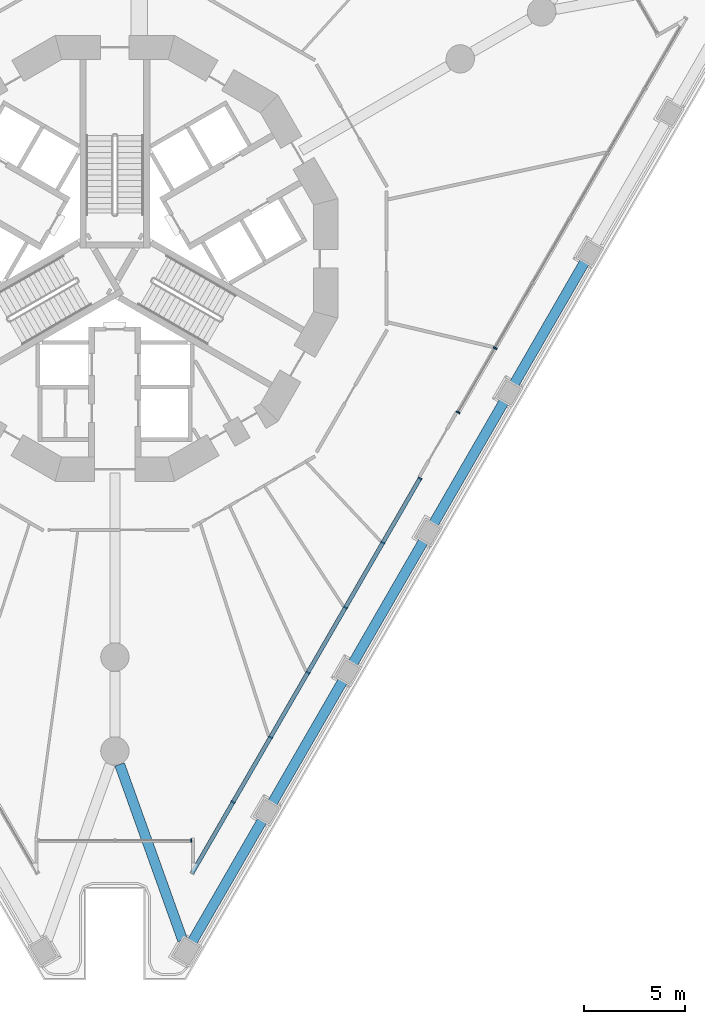
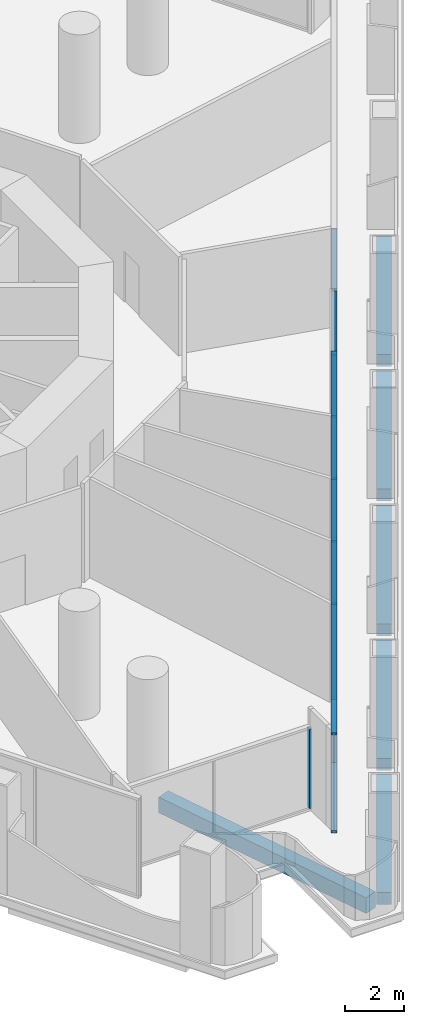
# One storey, part 4 of 21: 11 members, 6 beams, 3 elements without a shape of their own.
"""IFC4 building model written with IfcOpenShell, lengths in metres."""

from ifc_helpers import new_model, si_unit, direction, frame, origin, origin_2d, place, context, subcontext, project, spatial, rectangle, extrude, material, layer, layer_set, material_profile, profile_set, type_object, element, aggregate, save


model = new_model("IFC4")

# Units and contexts
model_context = context("Model", 3, precision=1e-05, world=origin(), true_north=direction((0.0, 1.0)))
body_context = subcontext(model_context, "Body", "Model", "MODEL_VIEW")
ifc_project = project(units=[si_unit("LENGTHUNIT", "METRE"), si_unit("AREAUNIT", "SQUARE_METRE"), si_unit("VOLUMEUNIT", "CUBIC_METRE"), si_unit("PLANEANGLEUNIT", "RADIAN"), si_unit("MASSUNIT", "GRAM", prefix="KILO")], contexts=[model_context])

# Site, building, storey
site_placement = place(None, origin())
site = spatial("IfcSite", under=ifc_project, at=site_placement, CompositionType="ELEMENT")
building_placement = place(site_placement, origin())
building = spatial("IfcBuilding", under=site, at=building_placement, Name="Trine Commons Tower", CompositionType="ELEMENT")
storey_placement = place(building_placement, frame((0.0, 0.0, 9.0)))
storey = spatial("IfcBuildingStorey", under=building, at=storey_placement, Name="L01", CompositionType="ELEMENT", Elevation=9.0)

# Curtain wall, member
ifc_material_1 = material(Name="Corner pocket glazing: anodised aluminium frame with low-emissivity double glazed unit, laminated", Category="aluminium")
ifc_layer_1 = layer(ifc_material_1, 0.179931640625)
ifc_layer_set_1 = layer_set([ifc_layer_1], Name="Corner pocket glazing: anodised aluminium frame with low-emissivity double glazed unit, laminated")
curtain_wall_type_1 = type_object("IfcCurtainWallType", Name="Corner pocket glazing curtain wall CW8", PredefinedType="NOTDEFINED", material=ifc_layer_set_1)
curtain_wall_1_placement = place(storey_placement, origin())
curtain_wall_1 = element("IfcCurtainWall", 1, at=curtain_wall_1_placement, inside=storey, type_object=curtain_wall_type_1, Name="Corner pocket glazing L01 P3.1", PredefinedType="NOTDEFINED")
ifc_material_2 = material(Name="Anodised aluminium, bronze finish", Category="aluminium")
ifc_material_profile_1 = material_profile(ifc_material_2, rectangle(XDim=0.179931640625, YDim=0.06494140625, at=origin_2d()), Name="Mullion 65x180")
ifc_profile_set_1 = profile_set([ifc_material_profile_1], Name="Anodised aluminium, bronze finish")
member_type_1 = type_object("IfcMemberType", Name="Mullion 65x180, Anodised aluminium, bronze finish", PredefinedType="MULLION", material=ifc_profile_set_1)
member_1_placement = place(storey_placement, frame((83.767578125, 33.74072265625, 0.090087890625), z_axis=(0.0, 0.0, 1.0), x_axis=(0.0, -1.0, 0.0)))
member_1 = element("IfcMember", 2, at=member_1_placement, type_object=member_type_1, Name="CW8 mullion 1.1", PredefinedType="MULLION", context=body_context, shape_type="SweptSolid", body=[
    extrude(rectangle(XDim=0.179931640625, YDim=0.06494140625, at=origin_2d()), origin(), (0.0, 0.0, 1.0), 3.2998046875),
])
aggregate(curtain_wall_1, [member_1])

# Curtain wall, members
ifc_material_3 = material(Name="Podium glazing: anodised aluminium frame with low-emissivity double glazed unit", Category="aluminium")
ifc_layer_2 = layer(ifc_material_3, 0.199951171875)
ifc_layer_set_2 = layer_set([ifc_layer_2], Name="Podium glazing: anodised aluminium frame with low-emissivity double glazed unit")
curtain_wall_type_2 = type_object("IfcCurtainWallType", Name="Podium glazing curtain wall CW3", PredefinedType="NOTDEFINED", material=ifc_layer_set_2)
curtain_wall_2_placement = place(storey_placement, origin())
curtain_wall_2 = element("IfcCurtainWall", 3, at=curtain_wall_2_placement, inside=storey, type_object=curtain_wall_type_2, Name="Podium glazing L01 F2.1", PredefinedType="NOTDEFINED")
ifc_material_profile_2 = material_profile(ifc_material_2, rectangle(XDim=0.199951171875, YDim=0.074951171875, at=origin_2d()), Name="Mullion 75x200")
ifc_profile_set_2 = profile_set([ifc_material_profile_2], Name="Anodised aluminium, bronze finish")
member_type_2 = type_object("IfcMemberType", Name="Mullion 75x200, Anodised aluminium, bronze finish", PredefinedType="MULLION", material=ifc_profile_set_2)
member_2_placement = place(storey_placement, frame((98.782470703125, 58.06298828125, 0.10009765625), z_axis=(0.0, 0.0, 1.0), x_axis=(0.866025403784, -0.5, 0.0)))
member_2 = element("IfcMember", 4, at=member_2_placement, type_object=member_type_2, Name="CW3 mullion 6.1", PredefinedType="MULLION", context=body_context, shape_type="SweptSolid", body=[
    extrude(rectangle(XDim=0.199951171875, YDim=0.074951171875, at=origin_2d()), origin(), (0.0, 0.0, 1.0), 3.949951171875),
])
member_3_placement = place(storey_placement, frame((96.95166015625, 54.89208984375, 0.10009765625), z_axis=(0.0, 0.0, 1.0), x_axis=(0.866025403784, -0.5, 0.0)))
member_3 = element("IfcMember", 5, at=member_3_placement, type_object=member_type_2, Name="CW3 mullion 7.1", PredefinedType="MULLION", context=body_context, shape_type="SweptSolid", body=[
    extrude(rectangle(XDim=0.199951171875, YDim=0.074951171875, at=origin_2d()), origin(), (0.0, 0.0, 1.0), 3.949951171875),
])
aggregate(curtain_wall_2, [member_2, member_3])

curtain_wall_3_placement = place(storey_placement, origin())
curtain_wall_3 = element("IfcCurtainWall", 6, at=curtain_wall_3_placement, inside=storey, type_object=curtain_wall_type_2, Name="Podium glazing L01 F2.2", PredefinedType="NOTDEFINED")
member_4_placement = place(storey_placement, frame((95.064697265625, 51.623779296875, 0.10009765625), z_axis=(0.0, 0.0, 1.0), x_axis=(0.866025403784, -0.5, 0.0)))
member_4 = element("IfcMember", 7, at=member_4_placement, type_object=member_type_2, Name="CW3 mullion 1.1", PredefinedType="MULLION", context=body_context, shape_type="SweptSolid", body=[
    extrude(rectangle(XDim=0.199951171875, YDim=0.074951171875, at=origin_2d()), origin(), (0.0, 0.0, 1.0), 3.949951171875),
])
member_5_placement = place(storey_placement, frame((93.234130859375, 48.452880859375, 0.10009765625), z_axis=(0.0, 0.0, 1.0), x_axis=(0.866025403784, -0.5, 0.0)))
member_5 = element("IfcMember", 8, at=member_5_placement, type_object=member_type_2, Name="CW3 mullion 2.1", PredefinedType="MULLION", context=body_context, shape_type="SweptSolid", body=[
    extrude(rectangle(XDim=0.199951171875, YDim=0.074951171875, at=origin_2d()), origin(), (0.0, 0.0, 1.0), 3.949951171875),
])
member_6_placement = place(storey_placement, frame((91.384521484375, 45.24951171875, 0.10009765625), z_axis=(0.0, 0.0, 1.0), x_axis=(0.866025403784, -0.5, 0.0)))
member_6 = element("IfcMember", 9, at=member_6_placement, type_object=member_type_2, Name="CW3 mullion 3.1", PredefinedType="MULLION", context=body_context, shape_type="SweptSolid", body=[
    extrude(rectangle(XDim=0.199951171875, YDim=0.074951171875, at=origin_2d()), origin(), (0.0, 0.0, 1.0), 3.949951171875),
])
member_7_placement = place(storey_placement, frame((89.53515625, 42.046142578125, 0.10009765625), z_axis=(0.0, 0.0, 1.0), x_axis=(0.866025403784, -0.5, 0.0)))
member_7 = element("IfcMember", 10, at=member_7_placement, type_object=member_type_2, Name="CW3 mullion 4.1", PredefinedType="MULLION", context=body_context, shape_type="SweptSolid", body=[
    extrude(rectangle(XDim=0.199951171875, YDim=0.074951171875, at=origin_2d()), origin(), (0.0, 0.0, 1.0), 3.949951171875),
])
member_8_placement = place(storey_placement, frame((87.685791015625, 38.843017578125, 0.10009765625), z_axis=(0.0, 0.0, 1.0), x_axis=(0.866025403784, -0.5, 0.0)))
member_8 = element("IfcMember", 11, at=member_8_placement, type_object=member_type_2, Name="CW3 mullion 5.1", PredefinedType="MULLION", context=body_context, shape_type="SweptSolid", body=[
    extrude(rectangle(XDim=0.199951171875, YDim=0.074951171875, at=origin_2d()), origin(), (0.0, 0.0, 1.0), 3.949951171875),
])
member_9_placement = place(storey_placement, frame((85.836181640625, 35.639404296875, 0.10009765625), z_axis=(0.0, 0.0, 1.0), x_axis=(0.866025403784, -0.5, 0.0)))
member_9 = element("IfcMember", 12, at=member_9_placement, type_object=member_type_2, Name="CW3 mullion 6.1", PredefinedType="MULLION", context=body_context, shape_type="SweptSolid", body=[
    extrude(rectangle(XDim=0.199951171875, YDim=0.074951171875, at=origin_2d()), origin(), (0.0, 0.0, 1.0), 3.949951171875),
])

# Beams
ifc_material_4 = material(Name="Concrete C50/60", Category="concrete")
ifc_material_profile_3 = material_profile(ifc_material_4, rectangle(XDim=0.5, YDim=0.5, at=origin_2d()), Name="RC 500x500")
ifc_profile_set_3 = profile_set([ifc_material_profile_3], Name="Concrete C50/60")
beam_type_1 = type_object("IfcBeamType", Name="RC beam 500x500, C50/60", PredefinedType="BEAM", material=ifc_profile_set_3)
for number, where, z_axis, x_axis, name in (
    (13, (103.21533203125, 62.341064453125, -0.64990234375), (-0.499991645397, -0.866030227263, 0.0), (0.866030227263, -0.499991645397, 0.0), "Beam EB1-17 L01"),
    (14, (99.233642578125, 55.444580078125, -0.64990234375), (-0.499991645397, -0.866030227263, 0.0), (0.866030227263, -0.499991645397, 0.0), "Beam EB1-18 L01"),
    (15, (95.251953125, 48.548095703125, -0.64990234375), (-0.499991645397, -0.866030227263, 0.0), (0.866030227263, -0.499991645397, 0.0), "Beam EB1-19 L01"),
):
    element("IfcBeam", number, at=place(storey_placement, frame(where, z_axis=z_axis, x_axis=x_axis)), inside=storey, type_object=beam_type_1, Name=name, PredefinedType="BEAM", context=body_context, shape_type="SweptSolid", body=[
        extrude(rectangle(XDim=0.5, YDim=0.5, at=origin_2d()), origin(), (0.0, 0.0, 1.0), 7.01318359375),
    ])
beam_1_placement = place(storey_placement, frame((91.2705078125, 41.651611328125, -0.64990234375), z_axis=(-0.500017753321, -0.866015153657, 0.0), x_axis=(0.866015153657, -0.500017753321, 0.0)))
element("IfcBeam", 16, at=beam_1_placement, inside=storey, type_object=beam_type_1, Name="Beam EB1-20 L01", PredefinedType="BEAM", context=body_context, shape_type="SweptSolid", body=[
    extrude(rectangle(XDim=0.5, YDim=0.5, at=origin_2d()), origin(), (0.0, 0.0, 1.0), 7.013427734375),
])
beam_2_placement = place(storey_placement, frame((87.288818359375, 34.755126953125, -0.64990234375), z_axis=(-0.500022902661, -0.866012180523, 0.0), x_axis=(0.866012180523, -0.500022902661, 0.0)))
element("IfcBeam", 17, at=beam_2_placement, inside=storey, type_object=beam_type_1, Name="Beam EB1-21 L01", PredefinedType="BEAM", context=body_context, shape_type="SweptSolid", body=[
    extrude(rectangle(XDim=0.5, YDim=0.5, at=origin_2d()), origin(), (0.0, 0.0, 1.0), 6.963623046875),
])
ifc_material_profile_4 = material_profile(ifc_material_4, rectangle(XDim=0.5, YDim=0.64990234375, at=origin_2d()), Name="RC 500x650")
ifc_profile_set_4 = profile_set([ifc_material_profile_4], Name="Concrete C50/60")
beam_type_2 = type_object("IfcBeamType", Name="RC beam 500x650, C50/60", PredefinedType="BEAM", material=ifc_profile_set_4)
beam_3_placement = place(storey_placement, frame((83.345458984375, 28.8251953125, -0.72509765625), z_axis=(-0.337305880684, 0.941395104542, 0.0), x_axis=(-0.941395104542, -0.337305880684, 0.0)))
element("IfcBeam", 18, at=beam_3_placement, inside=storey, type_object=beam_type_2, Name="Beam CB1-05 L01", PredefinedType="BEAM", context=body_context, shape_type="SweptSolid", body=[
    extrude(rectangle(XDim=0.5, YDim=0.64990234375, at=origin_2d()), origin(), (0.0, 0.0, 1.0), 9.218994140625),
])

# Member
ifc_material_profile_5 = material_profile(ifc_material_2, rectangle(XDim=0.199951171875, YDim=0.10009765625, at=origin_2d()), Name="Transom 100x200")
ifc_profile_set_5 = profile_set([ifc_material_profile_5], Name="Anodised aluminium, bronze finish")
member_type_3 = type_object("IfcMemberType", Name="Transom 100x200, Anodised aluminium, bronze finish", PredefinedType="USERDEFINED", material=ifc_profile_set_5)
member_10_placement = place(storey_placement, frame((95.08349609375, 51.65625, 0.050048828125), z_axis=(-0.499996215711, -0.866027588634, 0.0), x_axis=(0.866027588634, -0.499996215711, 0.0)))
member_10 = element("IfcMember", 19, at=member_10_placement, type_object=member_type_3, Name="CW3 transom T00", ObjectType="TRANSOM", PredefinedType="USERDEFINED", context=body_context, shape_type="SweptSolid", body=[
    extrude(rectangle(XDim=0.199951171875, YDim=0.10009765625, at=origin_2d()), origin(), (0.0, 0.0, 1.0), 22.567138671875),
])

member_11_placement = place(storey_placement, frame((95.08349609375, 51.65625, 4.10009765625), z_axis=(-0.499996215711, -0.866027588634, 0.0), x_axis=(0.866027588634, -0.499996215711, 0.0)))
member_11 = element("IfcMember", 20, at=member_11_placement, type_object=member_type_3, Name="CW3 transom TH00", ObjectType="TRANSOM", PredefinedType="USERDEFINED", context=body_context, shape_type="SweptSolid", body=[
    extrude(rectangle(XDim=0.199951171875, YDim=0.10009765625, at=origin_2d()), origin(), (0.0, 0.0, 1.0), 22.567138671875),
])

aggregate(curtain_wall_3, [member_10, member_11, member_4, member_5, member_6, member_7, member_8, member_9])

save(model, "model.ifc")
